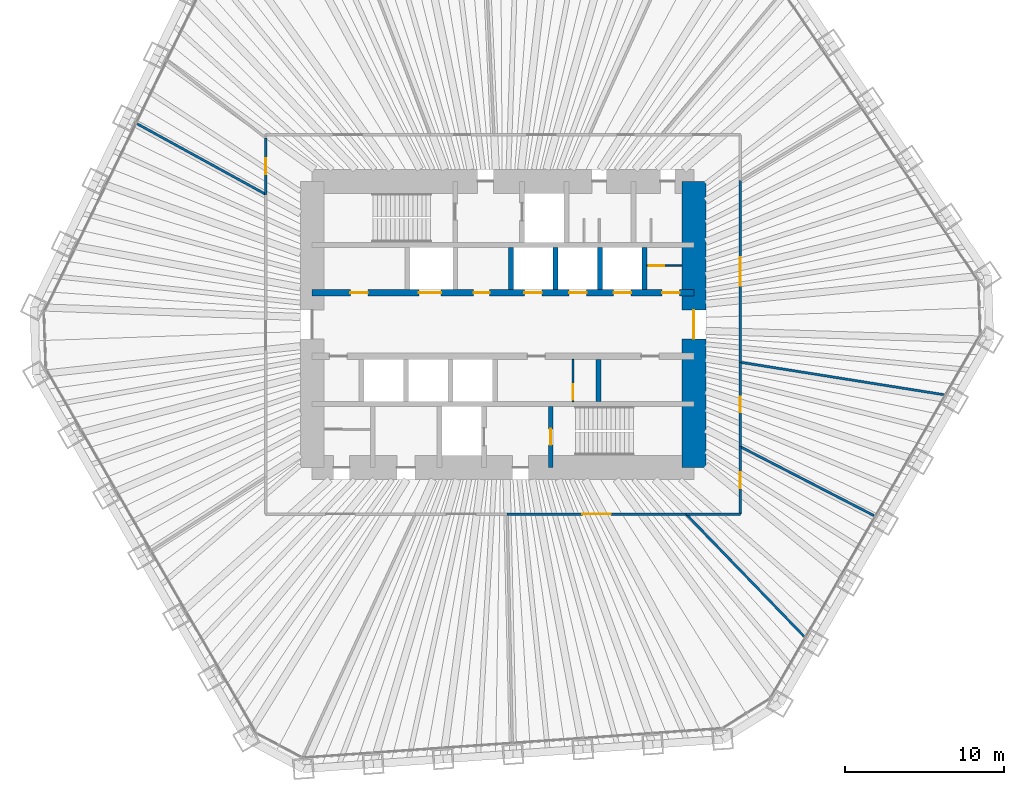
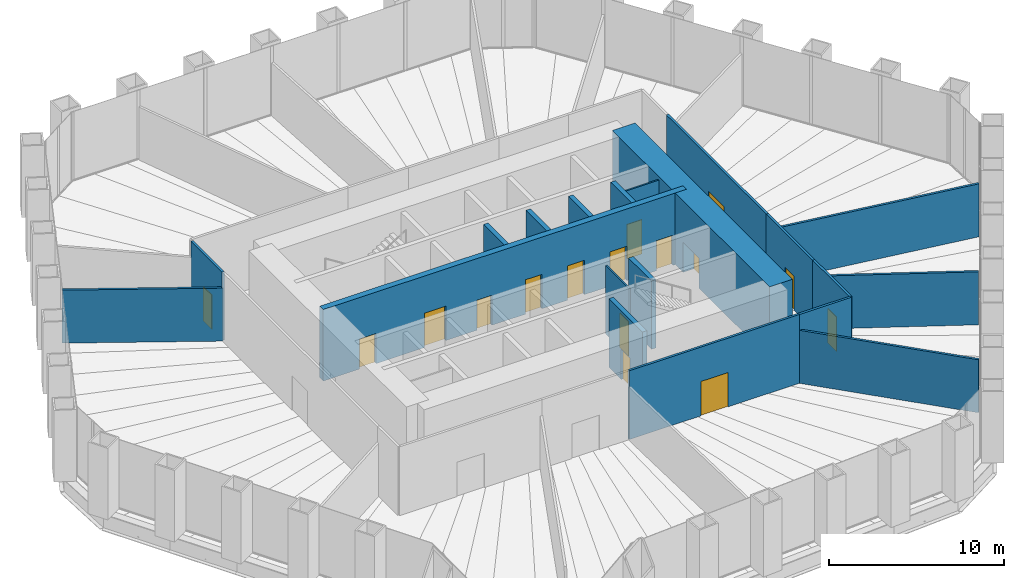
# One storey, part 11 of 14: 20 walls, 16 doors, 16 openings.
"""IFC4 building model written with IfcOpenShell, lengths in metres."""

from ifc_helpers import new_model, si_unit, direction, frame, frame_2d, origin, place, context, subcontext, project, spatial, rectangle, extrude, material, layer, layer_set, type_object, element, fill, save


model = new_model("IFC4")

# Units and contexts
model_context = context("Model", 3, precision=1e-05, world=origin(), true_north=direction((0.0, 1.0)))
body_context = subcontext(model_context, "Body", "Model", "MODEL_VIEW")
ifc_project = project(units=[si_unit("LENGTHUNIT", "METRE"), si_unit("AREAUNIT", "SQUARE_METRE"), si_unit("VOLUMEUNIT", "CUBIC_METRE"), si_unit("PLANEANGLEUNIT", "RADIAN"), si_unit("MASSUNIT", "GRAM", prefix="KILO")], contexts=[model_context])

# Site, building, storey
site_placement = place(None, origin())
site = spatial("IfcSite", under=ifc_project, at=site_placement, CompositionType="ELEMENT")
building_placement = place(site_placement, origin())
building = spatial("IfcBuilding", under=site, at=building_placement, Name="Qingtian Harvest Tower", CompositionType="ELEMENT")
storey_placement = place(building_placement, frame((0.0, 0.0, 52.0)))
storey = spatial("IfcBuildingStorey", under=building, at=storey_placement, Name="L10", CompositionType="ELEMENT", Elevation=52.0)

# Wall, openings, doors
ifc_material_1 = material(Name="Concrete fc' 70 MPa", Category="concrete")
ifc_layer_1 = layer(ifc_material_1, 0.39990234375)
ifc_layer_set_1 = layer_set([ifc_layer_1], Name="Core inner web RC6 400")
wall_type_1 = type_object("IfcWallType", Name="Core inner web RC6 400", PredefinedType="SHEAR", material=ifc_layer_set_1)
wall_1_placement = place(storey_placement, frame((-12.0, 2.0, 0.0), z_axis=(0.0, 0.0, 1.0), x_axis=(1.0, 0.0, 0.0)))
wall_1 = element("IfcWall", 1, at=wall_1_placement, inside=storey, type_object=wall_type_1, Name="Core wall IN2 L10", PredefinedType="SHEAR", context=body_context, shape_type="SweptSolid", body=[
    extrude(rectangle(XDim=24.0, YDim=0.39990234375, at=frame_2d((12.0, 0.0))), origin(), (0.0, 0.0, 1.0), 5.0),
])
opening_1_placement = place(wall_1_placement, frame((2.39990234375, 0.0, 0.0)))
opening_1 = element("IfcOpeningElement", 2, at=opening_1_placement, cuts=wall_1, Name="Opening FD4", PredefinedType="OPENING", context=body_context, shape_type="SweptSolid", body=[
    extrude(rectangle(XDim=1.10009765625, YDim=2.10009765625, at=frame_2d((0.550048828125, 1.050048828125))), frame((0.0, 0.2099609375, 0.0), z_axis=(0.0, -1.0, 0.0), x_axis=(1.0, 0.0, 0.0)), (0.0, 0.0, 1.0), 0.419921875),
])
opening_2_placement = place(wall_1_placement, frame((22.0, 0.0, 0.0)))
opening_2 = element("IfcOpeningElement", 3, at=opening_2_placement, cuts=wall_1, Name="Opening FD4", PredefinedType="OPENING", context=body_context, shape_type="SweptSolid", body=[
    extrude(rectangle(XDim=1.10009765625, YDim=2.10009765625, at=frame_2d((0.550048828125, 1.050048828125))), frame((0.0, 0.2099609375, 0.0), z_axis=(0.0, -1.0, 0.0), x_axis=(1.0, 0.0, 0.0)), (0.0, 0.0, 1.0), 0.419921875),
])
opening_3_placement = place(wall_1_placement, frame((10.14990234375, 0.0, 0.0)))
opening_3 = element("IfcOpeningElement", 4, at=opening_3_placement, cuts=wall_1, Name="Opening FD1", PredefinedType="OPENING", context=body_context, shape_type="SweptSolid", body=[
    extrude(rectangle(XDim=1.0, YDim=2.10009765625, at=frame_2d((0.5, 1.050048828125))), frame((0.0, 0.2099609375, 0.0), z_axis=(0.0, -1.0, 0.0), x_axis=(1.0, 0.0, 0.0)), (0.0, 0.0, 1.0), 0.419921875),
])
opening_4_placement = place(wall_1_placement, frame((6.699951171875, 0.0, 0.0)))
opening_4 = element("IfcOpeningElement", 5, at=opening_4_placement, cuts=wall_1, Name="Opening LD2", PredefinedType="OPENING", context=body_context, shape_type="SweptSolid", body=[
    extrude(rectangle(XDim=1.39990234375, YDim=2.39990234375, at=frame_2d((0.699951171875, 1.199951171875))), frame((0.0, 0.2099609375, 0.0), z_axis=(0.0, -1.0, 0.0), x_axis=(1.0, 0.0, 0.0)), (0.0, 0.0, 1.0), 0.419921875),
])
opening_5_placement = place(wall_1_placement, frame((13.35009765625, 0.0, 0.0)))
opening_5 = element("IfcOpeningElement", 6, at=opening_5_placement, cuts=wall_1, Name="Opening LD1", PredefinedType="OPENING", context=body_context, shape_type="SweptSolid", body=[
    extrude(rectangle(XDim=1.10009765625, YDim=2.39990234375, at=frame_2d((0.550048828125, 1.199951171875))), frame((0.0, 0.2099609375, 0.0), z_axis=(0.0, -1.0, 0.0), x_axis=(1.0, 0.0, 0.0)), (0.0, 0.0, 1.0), 0.419921875),
])
opening_6_placement = place(wall_1_placement, frame((16.14990234375, 0.0, 0.0)))
opening_6 = element("IfcOpeningElement", 7, at=opening_6_placement, cuts=wall_1, Name="Opening LD1", PredefinedType="OPENING", context=body_context, shape_type="SweptSolid", body=[
    extrude(rectangle(XDim=1.10009765625, YDim=2.39990234375, at=frame_2d((0.550048828125, 1.199951171875))), frame((0.0, 0.2099609375, 0.0), z_axis=(0.0, -1.0, 0.0), x_axis=(1.0, 0.0, 0.0)), (0.0, 0.0, 1.0), 0.419921875),
])
opening_7_placement = place(wall_1_placement, frame((18.949951171875, 0.0, 0.0)))
opening_7 = element("IfcOpeningElement", 8, at=opening_7_placement, cuts=wall_1, Name="Opening LD1", PredefinedType="OPENING", context=body_context, shape_type="SweptSolid", body=[
    extrude(rectangle(XDim=1.10009765625, YDim=2.39990234375, at=frame_2d((0.550048828125, 1.199951171875))), frame((0.0, 0.2099609375, 0.0), z_axis=(0.0, -1.0, 0.0), x_axis=(1.0, 0.0, 0.0)), (0.0, 0.0, 1.0), 0.419921875),
])
ifc_material_2 = material(Name="Steel-faced door leaf", Category="steel")
door_type_1 = type_object("IfcDoorType", Name="Fire door FD1 single 1 HR", OperationType="SINGLE_SWING_LEFT", PredefinedType="DOOR", material=ifc_material_2)
door_1_placement = place(opening_3_placement, origin())
door_1 = element("IfcDoor", 9, at=door_1_placement, inside=storey, type_object=door_type_1, Name="STA door L10", OperationType="SINGLE_SWING_LEFT", OverallHeight=2.10009765625, OverallWidth=1.0, PredefinedType="DOOR", context=body_context, shape_type="SweptSolid", body=[
    extrude(rectangle(XDim=1.0, YDim=2.10009765625, at=frame_2d((0.5, 1.050048828125))), frame((0.0, 0.02490234375, 0.0), z_axis=(0.0, -1.0, 0.0), x_axis=(1.0, 0.0, 0.0)), (0.0, 0.0, 1.0), 0.050048828125),
])
fill(opening_3, door_1)
ifc_material_3 = material(Name="Steel-faced door leaf", Category="steel")
door_type_2 = type_object("IfcDoorType", Name="Fire door FD4 single 2 HR", OperationType="SINGLE_SWING_LEFT", PredefinedType="DOOR", material=ifc_material_3)
door_2_placement = place(opening_1_placement, origin())
door_2 = element("IfcDoor", 10, at=door_2_placement, inside=storey, type_object=door_type_2, Name="RA door L10", OperationType="SINGLE_SWING_RIGHT", OverallHeight=2.10009765625, OverallWidth=1.10009765625, PredefinedType="DOOR", context=body_context, shape_type="SweptSolid", body=[
    extrude(rectangle(XDim=1.10009765625, YDim=2.10009765625, at=frame_2d((0.550048828125, 1.050048828125))), frame((0.0, 0.02490234375, 0.0), z_axis=(0.0, -1.0, 0.0), x_axis=(1.0, 0.0, 0.0)), (0.0, 0.0, 1.0), 0.050048828125),
])
fill(opening_1, door_2)
door_3_placement = place(opening_2_placement, origin())
door_3 = element("IfcDoor", 11, at=door_3_placement, inside=storey, type_object=door_type_2, Name="AHU door L10", OperationType="SINGLE_SWING_RIGHT", OverallHeight=2.10009765625, OverallWidth=1.10009765625, PredefinedType="DOOR", context=body_context, shape_type="SweptSolid", body=[
    extrude(rectangle(XDim=1.10009765625, YDim=2.10009765625, at=frame_2d((0.550048828125, 1.050048828125))), frame((0.0, 0.02490234375, 0.0), z_axis=(0.0, -1.0, 0.0), x_axis=(1.0, 0.0, 0.0)), (0.0, 0.0, 1.0), 0.050048828125),
])
fill(opening_2, door_3)
ifc_material_4 = material(Name="Stainless steel lift landing door", Category="steel")
door_type_3 = type_object("IfcDoorType", Name="Goods lift landing door LD2 1 HR", OperationType="DOUBLE_DOOR_SLIDING", PredefinedType="DOOR", material=ifc_material_4)
door_4_placement = place(opening_4_placement, origin())
door_4 = element("IfcDoor", 12, at=door_4_placement, inside=storey, type_object=door_type_3, Name="GL1 landing door L10", OperationType="DOUBLE_DOOR_SLIDING", OverallHeight=2.39990234375, OverallWidth=1.39990234375, PredefinedType="DOOR", context=body_context, shape_type="SweptSolid", body=[
    extrude(rectangle(XDim=1.39990234375, YDim=2.39990234375, at=frame_2d((0.699951171875, 1.199951171875))), frame((0.0, 0.02490234375, 0.0), z_axis=(0.0, -1.0, 0.0), x_axis=(1.0, 0.0, 0.0)), (0.0, 0.0, 1.0), 0.050048828125),
])
fill(opening_4, door_4)
ifc_material_5 = material(Name="Stainless steel lift landing door", Category="steel")
door_type_4 = type_object("IfcDoorType", Name="Lift landing door LD1 1 HR", OperationType="DOUBLE_DOOR_SLIDING", PredefinedType="DOOR", material=ifc_material_5)
door_5_placement = place(opening_5_placement, origin())
door_5 = element("IfcDoor", 13, at=door_5_placement, inside=storey, type_object=door_type_4, Name="PLA1 landing door L10", OperationType="DOUBLE_DOOR_SLIDING", OverallHeight=2.39990234375, OverallWidth=1.10009765625, PredefinedType="DOOR", context=body_context, shape_type="SweptSolid", body=[
    extrude(rectangle(XDim=1.10009765625, YDim=2.39990234375, at=frame_2d((0.550048828125, 1.199951171875))), frame((0.0, 0.02490234375, 0.0), z_axis=(0.0, -1.0, 0.0), x_axis=(1.0, 0.0, 0.0)), (0.0, 0.0, 1.0), 0.050048828125),
])
fill(opening_5, door_5)
door_6_placement = place(opening_6_placement, origin())
door_6 = element("IfcDoor", 14, at=door_6_placement, inside=storey, type_object=door_type_4, Name="PLA2 landing door L10", OperationType="DOUBLE_DOOR_SLIDING", OverallHeight=2.39990234375, OverallWidth=1.10009765625, PredefinedType="DOOR", context=body_context, shape_type="SweptSolid", body=[
    extrude(rectangle(XDim=1.10009765625, YDim=2.39990234375, at=frame_2d((0.550048828125, 1.199951171875))), frame((0.0, 0.02490234375, 0.0), z_axis=(0.0, -1.0, 0.0), x_axis=(1.0, 0.0, 0.0)), (0.0, 0.0, 1.0), 0.050048828125),
])
fill(opening_6, door_6)
door_7_placement = place(opening_7_placement, origin())
door_7 = element("IfcDoor", 15, at=door_7_placement, inside=storey, type_object=door_type_4, Name="PLA3 landing door L10", OperationType="DOUBLE_DOOR_SLIDING", OverallHeight=2.39990234375, OverallWidth=1.10009765625, PredefinedType="DOOR", context=body_context, shape_type="SweptSolid", body=[
    extrude(rectangle(XDim=1.10009765625, YDim=2.39990234375, at=frame_2d((0.550048828125, 1.199951171875))), frame((0.0, 0.02490234375, 0.0), z_axis=(0.0, -1.0, 0.0), x_axis=(1.0, 0.0, 0.0)), (0.0, 0.0, 1.0), 0.050048828125),
])
fill(opening_7, door_7)

# Walls
ifc_material_6 = material(Name="Precast concrete shaft panel", Category="concrete")
ifc_layer_2 = layer(ifc_material_6, 0.300048828125)
ifc_layer_set_2 = layer_set([ifc_layer_2], Name="Core shaft partition SW1 300")
wall_type_2 = type_object("IfcWallType", Name="Core shaft partition SW1 300", PredefinedType="PARTITIONING", material=ifc_layer_set_2)
for number, where, z_axis, x_axis, name in (
    (16, (0.5, 2.199951171875, 0.0), (0.0, 0.0, 1.0), (0.0, 1.0, 0.0), "Core shaft partition XA3 L10"),
    (17, (3.300048828125, 2.199951171875, 0.0), (0.0, 0.0, 1.0), (0.0, 1.0, 0.0), "Core shaft partition XA4 L10"),
    (18, (6.10009765625, 2.199951171875, 0.0), (0.0, 0.0, 1.0), (0.0, 1.0, 0.0), "Core shaft partition XA5 L10"),
    (19, (8.89990234375, 2.199951171875, 0.0), (0.0, 0.0, 1.0), (0.0, 1.0, 0.0), "Core shaft partition XA6 L10"),
    (20, (6.0, -4.85009765625, 0.0), (0.0, 0.0, 1.0), (0.0, 1.0, 0.0), "Core shaft partition XB5 L10"),
):
    element("IfcWall", number, at=place(storey_placement, frame(where, z_axis=z_axis, x_axis=x_axis)), inside=storey, type_object=wall_type_2, Name=name, PredefinedType="PARTITIONING", context=body_context, shape_type="SweptSolid", body=[
        extrude(rectangle(XDim=2.650146484375, YDim=0.300048828125, at=frame_2d((1.3251953125, 0.0))), origin(), (0.0, 0.0, 1.0), 4.780029296875),
    ])

# Wall, opening, door
wall_2_placement = place(storey_placement, frame((3.0, -9.0, 0.0), z_axis=(0.0, 0.0, 1.0), x_axis=(0.0, 1.0, 0.0)))
wall_2 = element("IfcWall", 21, at=wall_2_placement, inside=storey, type_object=wall_type_2, Name="Core shaft partition XS4 L10", PredefinedType="PARTITIONING", context=body_context, shape_type="SweptSolid", body=[
    extrude(rectangle(XDim=3.85009765625, YDim=0.300048828125, at=frame_2d((1.925048828125, 0.0))), origin(), (0.0, 0.0, 1.0), 4.780029296875),
])
opening_8_placement = place(wall_2_placement, frame((1.425048828125, 0.0, 0.0)))
opening_8 = element("IfcOpeningElement", 22, at=opening_8_placement, cuts=wall_2, Name="Opening FD1", PredefinedType="OPENING", context=body_context, shape_type="SweptSolid", body=[
    extrude(rectangle(XDim=1.0, YDim=2.10009765625, at=frame_2d((0.5, 1.050048828125))), frame((0.0, 0.159912109375, 0.0), z_axis=(0.0, -1.0, 0.0), x_axis=(1.0, 0.0, 0.0)), (0.0, 0.0, 1.0), 0.320068359375),
])
door_8_placement = place(opening_8_placement, origin())
door_8 = element("IfcDoor", 23, at=door_8_placement, inside=storey, type_object=door_type_1, Name="S2 door L10", OperationType="SINGLE_SWING_LEFT", OverallHeight=2.10009765625, OverallWidth=1.0, PredefinedType="DOOR", context=body_context, shape_type="SweptSolid", body=[
    extrude(rectangle(XDim=1.0, YDim=2.10009765625, at=frame_2d((0.5, 1.050048828125))), frame((0.0, 0.02490234375, 0.0), z_axis=(0.0, -1.0, 0.0), x_axis=(1.0, 0.0, 0.0)), (0.0, 0.0, 1.0), 0.050048828125),
])
fill(opening_8, door_8)

ifc_material_7 = material(Name="Concrete fc' 70 MPa", Category="concrete")
ifc_layer_3 = layer(ifc_material_7, 1.5)
ifc_layer_set_3 = layer_set([ifc_layer_3], Name="Core wall RC1 1500")
wall_type_3 = type_object("IfcWallType", Name="Core wall RC1 1500", PredefinedType="SHEAR", material=ifc_layer_set_3)
wall_3_placement = place(storey_placement, frame((12.0, -9.0, 0.0), z_axis=(0.0, 0.0, 1.0), x_axis=(0.0, 1.0, 0.0)))
wall_3 = element("IfcWall", 24, at=wall_3_placement, inside=storey, type_object=wall_type_3, Name="Core wall CE L10", PredefinedType="SHEAR", context=body_context, shape_type="SweptSolid", body=[
    extrude(rectangle(XDim=18.0, YDim=1.5, at=frame_2d((9.0, 0.0))), origin(), (0.0, 0.0, 1.0), 5.0),
])
opening_9_placement = place(wall_3_placement, frame((8.10009765625, 0.0, 0.0)))
opening_9 = element("IfcOpeningElement", 25, at=opening_9_placement, cuts=wall_3, Name="Opening FD2", PredefinedType="OPENING", context=body_context, shape_type="SweptSolid", body=[
    extrude(rectangle(XDim=1.800048828125, YDim=2.10009765625, at=frame_2d((0.89990234375, 1.050048828125))), frame((0.0, 0.760009765625, 0.0), z_axis=(0.0, -1.0, 0.0), x_axis=(1.0, 0.0, 0.0)), (0.0, 0.0, 1.0), 1.52001953125),
])
ifc_material_8 = material(Name="Steel-faced door leaf", Category="steel")
door_type_5 = type_object("IfcDoorType", Name="Fire door FD2 double 1 HR", OperationType="DOUBLE_DOOR_DOUBLE_SWING", PredefinedType="DOOR", material=ifc_material_8)
door_9_placement = place(opening_9_placement, origin())
door_9 = element("IfcDoor", 26, at=door_9_placement, inside=storey, type_object=door_type_5, Name="LOBBY-E door L10", OperationType="DOUBLE_DOOR_DOUBLE_SWING", OverallHeight=2.10009765625, OverallWidth=1.800048828125, PredefinedType="DOOR", context=body_context, shape_type="SweptSolid", body=[
    extrude(rectangle(XDim=1.800048828125, YDim=2.10009765625, at=frame_2d((0.89990234375, 1.050048828125))), frame((0.0, 0.02490234375, 0.0), z_axis=(0.0, -1.0, 0.0), x_axis=(1.0, 0.0, 0.0)), (0.0, 0.0, 1.0), 0.050048828125),
])
fill(opening_9, door_9)

ifc_material_9 = material(Name="Gypsum board on steel studs", Category="steel")
ifc_layer_4 = layer(ifc_material_9, 0.14990234375)
ifc_layer_set_4 = layer_set([ifc_layer_4], Name="Partition PT1 150")
wall_type_4 = type_object("IfcWallType", Name="Partition PT1 150", PredefinedType="PARTITIONING", material=ifc_layer_set_4)
wall_4_placement = place(storey_placement, frame((14.925048828125, 9.06103515625, 0.0), z_axis=(0.0, 0.0, 1.0), x_axis=(0.0, -1.0, 0.0)))
wall_4 = element("IfcWall", 27, at=wall_4_placement, inside=storey, type_object=wall_type_4, Name="Herb growing room wall L10", PredefinedType="PARTITIONING", context=body_context, shape_type="SweptSolid", body=[
    extrude(rectangle(XDim=11.439453125, YDim=0.14990234375, at=frame_2d((5.7197265625, 0.0))), origin(), (0.0, 0.0, 1.0), 4.800048828125),
])
opening_10_placement = place(wall_4_placement, frame((4.81982421875, 0.0, 0.0)))
opening_10 = element("IfcOpeningElement", 28, at=opening_10_placement, cuts=wall_4, Name="Opening D3", PredefinedType="OPENING", context=body_context, shape_type="SweptSolid", body=[
    extrude(rectangle(XDim=1.800048828125, YDim=2.39990234375, at=frame_2d((0.89990234375, 1.199951171875))), frame((0.0, 0.0849609375, 0.0), z_axis=(0.0, -1.0, 0.0), x_axis=(1.0, 0.0, 0.0)), (0.0, 0.0, 1.0), 0.169921875),
])
ifc_material_10 = material(Name="Laminated timber door leaf", Category="wood")
door_type_6 = type_object("IfcDoorType", Name="Room door D3 double", OperationType="DOUBLE_DOOR_DOUBLE_SWING", PredefinedType="DOOR", material=ifc_material_10)
door_10_placement = place(opening_10_placement, origin())
door_10 = element("IfcDoor", 29, at=door_10_placement, inside=storey, type_object=door_type_6, Name="Herb growing room door L10", OperationType="DOUBLE_DOOR_DOUBLE_SWING", OverallHeight=2.39990234375, OverallWidth=1.800048828125, PredefinedType="DOOR", context=body_context, shape_type="SweptSolid", body=[
    extrude(rectangle(XDim=1.800048828125, YDim=2.39990234375, at=frame_2d((0.89990234375, 1.199951171875))), frame((0.0, 0.02490234375, 0.0), z_axis=(0.0, -1.0, 0.0), x_axis=(1.0, 0.0, 0.0)), (0.0, 0.0, 1.0), 0.050048828125),
])
fill(opening_10, door_10)

# Wall
wall_5_placement = place(storey_placement, frame((27.711181640625, -4.416015625, 0.0), z_axis=(0.0, 0.0, 1.0), x_axis=(-0.987539045088, 0.157374186021, 0.0)))
element("IfcWall", 30, at=wall_5_placement, inside=storey, type_object=wall_type_4, Name="Herb drying room wall L10", PredefinedType="PARTITIONING", context=body_context, shape_type="SweptSolid", body=[
    extrude(rectangle(XDim=12.947509765625, YDim=0.14990234375, at=frame_2d((6.4736328125, 0.0))), origin(), (0.0, 0.0, 1.0), 3.699951171875),
])

# Wall, opening, door
wall_6_placement = place(storey_placement, frame((14.925048828125, -2.37841796875, 0.0), z_axis=(0.0, 0.0, 1.0), x_axis=(0.0, -1.0, 0.0)))
wall_6 = element("IfcWall", 31, at=wall_6_placement, inside=storey, type_object=wall_type_4, Name="Herb drying room wall L10", PredefinedType="PARTITIONING", context=body_context, shape_type="SweptSolid", body=[
    extrude(rectangle(XDim=5.3125, YDim=0.14990234375, at=frame_2d((2.65625, 0.0))), origin(), (0.0, 0.0, 1.0), 4.800048828125),
])
opening_11_placement = place(wall_6_placement, frame((2.15625, 0.0, 0.0)))
opening_11 = element("IfcOpeningElement", 32, at=opening_11_placement, cuts=wall_6, Name="Opening D2", PredefinedType="OPENING", context=body_context, shape_type="SweptSolid", body=[
    extrude(rectangle(XDim=1.0, YDim=2.39990234375, at=frame_2d((0.5, 1.199951171875))), frame((0.0, 0.0849609375, 0.0), z_axis=(0.0, -1.0, 0.0), x_axis=(1.0, 0.0, 0.0)), (0.0, 0.0, 1.0), 0.169921875),
])
ifc_material_11 = material(Name="Laminated timber door leaf", Category="wood")
door_type_7 = type_object("IfcDoorType", Name="Room door D2 single", OperationType="SINGLE_SWING_LEFT", PredefinedType="DOOR", material=ifc_material_11)
door_11_placement = place(opening_11_placement, origin())
door_11 = element("IfcDoor", 33, at=door_11_placement, inside=storey, type_object=door_type_7, Name="Herb drying room door L10", OperationType="SINGLE_SWING_RIGHT", OverallHeight=2.39990234375, OverallWidth=1.0, PredefinedType="DOOR", context=body_context, shape_type="SweptSolid", body=[
    extrude(rectangle(XDim=1.0, YDim=2.39990234375, at=frame_2d((0.5, 1.199951171875))), frame((0.0, 0.02490234375, 0.0), z_axis=(0.0, -1.0, 0.0), x_axis=(1.0, 0.0, 0.0)), (0.0, 0.0, 1.0), 0.050048828125),
])
fill(opening_11, door_11)

# Wall
wall_7_placement = place(storey_placement, frame((23.31640625, -12.01513671875, 0.0), z_axis=(0.0, 0.0, 1.0), x_axis=(-0.888914247068, 0.458073641851, 0.0)))
element("IfcWall", 34, at=wall_7_placement, inside=storey, type_object=wall_type_4, Name="Nutrient dosing room wall L10", PredefinedType="PARTITIONING", context=body_context, shape_type="SweptSolid", body=[
    extrude(rectangle(XDim=9.43994140625, YDim=0.14990234375, at=frame_2d((4.719970703125, 0.0))), origin(), (0.0, 0.0, 1.0), 3.699951171875),
])

# Wall, opening, door
wall_8_placement = place(storey_placement, frame((14.925048828125, -7.69091796875, 0.0), z_axis=(0.0, 0.0, 1.0), x_axis=(0.0, -1.0, 0.0)))
wall_8 = element("IfcWall", 35, at=wall_8_placement, inside=storey, type_object=wall_type_4, Name="Nutrient dosing room wall L10", PredefinedType="PARTITIONING", context=body_context, shape_type="SweptSolid", body=[
    extrude(rectangle(XDim=4.234130859375, YDim=0.14990234375, at=frame_2d((2.1171875, 0.0))), origin(), (0.0, 0.0, 1.0), 4.800048828125),
])
opening_12_placement = place(wall_8_placement, frame((1.616943359375, 0.0, 0.0)))
opening_12 = element("IfcOpeningElement", 36, at=opening_12_placement, cuts=wall_8, Name="Opening D2", PredefinedType="OPENING", context=body_context, shape_type="SweptSolid", body=[
    extrude(rectangle(XDim=1.0, YDim=2.39990234375, at=frame_2d((0.5, 1.199951171875))), frame((0.0, 0.0849609375, 0.0), z_axis=(0.0, -1.0, 0.0), x_axis=(1.0, 0.0, 0.0)), (0.0, 0.0, 1.0), 0.169921875),
])
door_12_placement = place(opening_12_placement, origin())
door_12 = element("IfcDoor", 37, at=door_12_placement, inside=storey, type_object=door_type_7, Name="Nutrient dosing room door L10", OperationType="SINGLE_SWING_RIGHT", OverallHeight=2.39990234375, OverallWidth=1.0, PredefinedType="DOOR", context=body_context, shape_type="SweptSolid", body=[
    extrude(rectangle(XDim=1.0, YDim=2.39990234375, at=frame_2d((0.5, 1.199951171875))), frame((0.0, 0.02490234375, 0.0), z_axis=(0.0, -1.0, 0.0), x_axis=(1.0, 0.0, 0.0)), (0.0, 0.0, 1.0), 0.050048828125),
])
fill(opening_12, door_12)

# Walls
wall_9_placement = place(storey_placement, frame((14.925048828125, -11.925048828125, 0.0), z_axis=(0.0, 0.0, 1.0), x_axis=(-1.0, 0.0, 0.0)))
element("IfcWall", 38, at=wall_9_placement, inside=storey, type_object=wall_type_4, Name="Nutrient dosing room wall L10", PredefinedType="PARTITIONING", context=body_context, shape_type="SweptSolid", body=[
    extrude(rectangle(XDim=3.41748046875, YDim=0.14990234375, at=frame_2d((1.708740234375, 0.0))), origin(), (0.0, 0.0, 1.0), 4.800048828125),
])
wall_10_placement = place(storey_placement, frame((18.93115234375, -19.617919921875, 0.0), z_axis=(0.0, 0.0, 1.0), x_axis=(-0.694400087022, 0.719589132175, 0.0)))
element("IfcWall", 39, at=wall_10_placement, inside=storey, type_object=wall_type_4, Name="Herb growing room wall L10", PredefinedType="PARTITIONING", context=body_context, shape_type="SweptSolid", body=[
    extrude(rectangle(XDim=10.690673828125, YDim=0.14990234375, at=frame_2d((5.34521484375, 0.0))), origin(), (0.0, 0.0, 1.0), 3.699951171875),
])

# Wall, opening, door
wall_11_placement = place(storey_placement, frame((11.507568359375, -11.925048828125, 0.0), z_axis=(0.0, 0.0, 1.0), x_axis=(-1.0, 0.0, 0.0)))
wall_11 = element("IfcWall", 40, at=wall_11_placement, inside=storey, type_object=wall_type_4, Name="Herb growing room wall L10", PredefinedType="PARTITIONING", context=body_context, shape_type="SweptSolid", body=[
    extrude(rectangle(XDim=11.244873046875, YDim=0.14990234375, at=frame_2d((5.62255859375, 0.0))), origin(), (0.0, 0.0, 1.0), 4.800048828125),
])
opening_13_placement = place(wall_11_placement, frame((4.722412109375, 0.0, 0.0)))
opening_13 = element("IfcOpeningElement", 41, at=opening_13_placement, cuts=wall_11, Name="Opening D3", PredefinedType="OPENING", context=body_context, shape_type="SweptSolid", body=[
    extrude(rectangle(XDim=1.800048828125, YDim=2.39990234375, at=frame_2d((0.89990234375, 1.199951171875))), frame((0.0, 0.0849609375, 0.0), z_axis=(0.0, -1.0, 0.0), x_axis=(1.0, 0.0, 0.0)), (0.0, 0.0, 1.0), 0.169921875),
])
door_13_placement = place(opening_13_placement, origin())
door_13 = element("IfcDoor", 42, at=door_13_placement, inside=storey, type_object=door_type_6, Name="Herb growing room door L10", OperationType="DOUBLE_DOOR_DOUBLE_SWING", OverallHeight=2.39990234375, OverallWidth=1.800048828125, PredefinedType="DOOR", context=body_context, shape_type="SweptSolid", body=[
    extrude(rectangle(XDim=1.800048828125, YDim=2.39990234375, at=frame_2d((0.89990234375, 1.199951171875))), frame((0.0, 0.02490234375, 0.0), z_axis=(0.0, -1.0, 0.0), x_axis=(1.0, 0.0, 0.0)), (0.0, 0.0, 1.0), 0.050048828125),
])
fill(opening_13, door_13)

# Wall
wall_12_placement = place(storey_placement, frame((-22.999267578125, 12.611572265625, 0.0), z_axis=(0.0, 0.0, 1.0), x_axis=(0.876826470608, -0.480806967963, 0.0)))
element("IfcWall", 43, at=wall_12_placement, inside=storey, type_object=wall_type_4, Name="Gowning room wall L10", PredefinedType="PARTITIONING", context=body_context, shape_type="SweptSolid", body=[
    extrude(rectangle(XDim=9.20849609375, YDim=0.14990234375, at=frame_2d((4.604248046875, 0.0))), origin(), (0.0, 0.0, 1.0), 3.699951171875),
])

# Wall, opening, door
wall_13_placement = place(storey_placement, frame((-14.925048828125, 8.18408203125, 0.0), z_axis=(0.0, 0.0, 1.0), x_axis=(0.0, 1.0, 0.0)))
wall_13 = element("IfcWall", 44, at=wall_13_placement, inside=storey, type_object=wall_type_4, Name="Gowning room wall L10", PredefinedType="PARTITIONING", context=body_context, shape_type="SweptSolid", body=[
    extrude(rectangle(XDim=3.539794921875, YDim=0.14990234375, at=frame_2d((1.77001953125, 0.0))), origin(), (0.0, 0.0, 1.0), 4.800048828125),
])
opening_14_placement = place(wall_13_placement, frame((1.269775390625, 0.0, 0.0)))
opening_14 = element("IfcOpeningElement", 45, at=opening_14_placement, cuts=wall_13, Name="Opening D2", PredefinedType="OPENING", context=body_context, shape_type="SweptSolid", body=[
    extrude(rectangle(XDim=1.0, YDim=2.39990234375, at=frame_2d((0.5, 1.199951171875))), frame((0.0, 0.0849609375, 0.0), z_axis=(0.0, -1.0, 0.0), x_axis=(1.0, 0.0, 0.0)), (0.0, 0.0, 1.0), 0.169921875),
])
door_14_placement = place(opening_14_placement, origin())
door_14 = element("IfcDoor", 46, at=door_14_placement, inside=storey, type_object=door_type_7, Name="Gowning room door L10", OperationType="SINGLE_SWING_LEFT", OverallHeight=2.39990234375, OverallWidth=1.0, PredefinedType="DOOR", context=body_context, shape_type="SweptSolid", body=[
    extrude(rectangle(XDim=1.0, YDim=2.39990234375, at=frame_2d((0.5, 1.199951171875))), frame((0.0, 0.02490234375, 0.0), z_axis=(0.0, -1.0, 0.0), x_axis=(1.0, 0.0, 0.0)), (0.0, 0.0, 1.0), 0.050048828125),
])
fill(opening_14, door_14)

ifc_material_12 = material(Name="Concrete block partition", Category="concrete")
ifc_layer_5 = layer(ifc_material_12, 0.10009765625)
ifc_layer_set_5 = layer_set([ifc_layer_5], Name="Store partition PT3 100")
wall_type_5 = type_object("IfcWallType", Name="Store partition PT3 100", PredefinedType="PARTITIONING", material=ifc_layer_set_5)
wall_14_placement = place(storey_placement, frame((4.39990234375, -4.85009765625, 0.0), z_axis=(0.0, 0.0, 1.0), x_axis=(0.0, 1.0, 0.0)))
wall_14 = element("IfcWall", 47, at=wall_14_placement, inside=storey, type_object=wall_type_5, Name="Control room wall L10", PredefinedType="PARTITIONING", context=body_context, shape_type="SweptSolid", body=[
    extrude(rectangle(XDim=2.650146484375, YDim=0.10009765625, at=frame_2d((1.3251953125, 0.0))), origin(), (0.0, 0.0, 1.0), 4.780029296875),
])
opening_15_placement = place(wall_14_placement, frame((0.10009765625, 0.0, 0.0)))
opening_15 = element("IfcOpeningElement", 48, at=opening_15_placement, cuts=wall_14, Name="Opening D2", PredefinedType="OPENING", context=body_context, shape_type="SweptSolid", body=[
    extrude(rectangle(XDim=1.0, YDim=2.39990234375, at=frame_2d((0.5, 1.199951171875))), frame((0.0, 0.06005859375, 0.0), z_axis=(0.0, -1.0, 0.0), x_axis=(1.0, 0.0, 0.0)), (0.0, 0.0, 1.0), 0.1201171875),
])
door_15_placement = place(opening_15_placement, origin())
door_15 = element("IfcDoor", 49, at=door_15_placement, inside=storey, type_object=door_type_7, Name="Control room door L10", OperationType="SINGLE_SWING_LEFT", OverallHeight=2.39990234375, OverallWidth=1.0, PredefinedType="DOOR", context=body_context, shape_type="SweptSolid", body=[
    extrude(rectangle(XDim=1.0, YDim=2.39990234375, at=frame_2d((0.5, 1.199951171875))), frame((0.0, 0.02490234375, 0.0), z_axis=(0.0, -1.0, 0.0), x_axis=(1.0, 0.0, 0.0)), (0.0, 0.0, 1.0), 0.050048828125),
])
fill(opening_15, door_15)

wall_15_placement = place(storey_placement, frame((9.050048828125, 3.699951171875, 0.0), z_axis=(0.0, 0.0, 1.0), x_axis=(1.0, 0.0, 0.0)))
wall_15 = element("IfcWall", 50, at=wall_15_placement, inside=storey, type_object=wall_type_5, Name="Filter plant room wall L10", PredefinedType="PARTITIONING", context=body_context, shape_type="SweptSolid", body=[
    extrude(rectangle(XDim=2.199951171875, YDim=0.10009765625, at=frame_2d((1.10009765625, 0.0))), origin(), (0.0, 0.0, 1.0), 4.780029296875),
])
opening_16_placement = place(wall_15_placement, frame((0.10009765625, 0.0, 0.0)))
opening_16 = element("IfcOpeningElement", 51, at=opening_16_placement, cuts=wall_15, Name="Opening D2", PredefinedType="OPENING", context=body_context, shape_type="SweptSolid", body=[
    extrude(rectangle(XDim=1.0, YDim=2.39990234375, at=frame_2d((0.5, 1.199951171875))), frame((0.0, 0.06005859375, 0.0), z_axis=(0.0, -1.0, 0.0), x_axis=(1.0, 0.0, 0.0)), (0.0, 0.0, 1.0), 0.1201171875),
])
door_16_placement = place(opening_16_placement, origin())
door_16 = element("IfcDoor", 52, at=door_16_placement, inside=storey, type_object=door_type_7, Name="Filter plant room door L10", OperationType="SINGLE_SWING_RIGHT", OverallHeight=2.39990234375, OverallWidth=1.0, PredefinedType="DOOR", context=body_context, shape_type="SweptSolid", body=[
    extrude(rectangle(XDim=1.0, YDim=2.39990234375, at=frame_2d((0.5, 1.199951171875))), frame((0.0, 0.02490234375, 0.0), z_axis=(0.0, -1.0, 0.0), x_axis=(1.0, 0.0, 0.0)), (0.0, 0.0, 1.0), 0.050048828125),
])
fill(opening_16, door_16)

save(model, "model.ifc")
